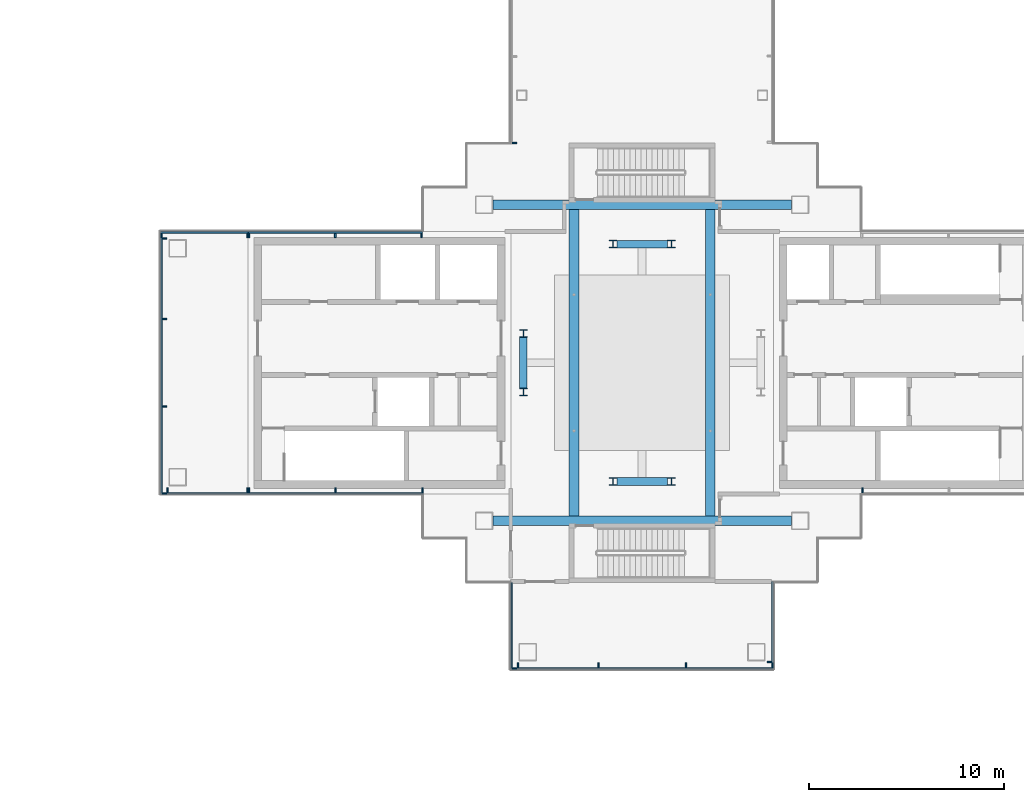
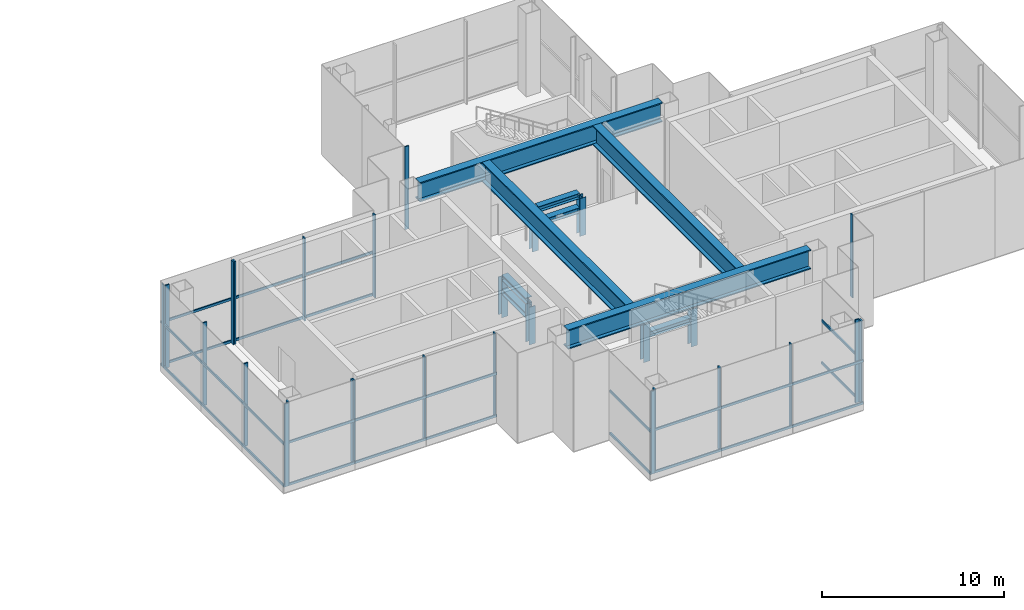
# One storey, part 5 of 17: 44 members, 10 beams, 10 elements without a shape of their own.
"""IFC4 building model written with IfcOpenShell, lengths in metres."""

from ifc_helpers import new_model, si_unit, direction, frame, origin, origin_2d, place, context, subcontext, project, spatial, rectangle, i_section, extrude, material, layer, layer_set, material_profile, profile_set, type_object, element, aggregate, save


model = new_model("IFC4")

# Units and contexts
model_context = context("Model", 3, precision=1e-05, world=origin(), true_north=direction((0.0, 1.0)))
body_context = subcontext(model_context, "Body", "Model", "MODEL_VIEW")
ifc_project = project(units=[si_unit("LENGTHUNIT", "METRE"), si_unit("AREAUNIT", "SQUARE_METRE"), si_unit("VOLUMEUNIT", "CUBIC_METRE"), si_unit("PLANEANGLEUNIT", "RADIAN"), si_unit("MASSUNIT", "GRAM", prefix="KILO")], contexts=[model_context])

# Site, building, storey
site_placement = place(None, origin())
site = spatial("IfcSite", under=ifc_project, at=site_placement, CompositionType="ELEMENT")
building_placement = place(site_placement, origin())
building = spatial("IfcBuilding", under=site, at=building_placement, Name="Shamsa Quay Exchange Towers", CompositionType="ELEMENT")
storey_placement = place(building_placement, frame((0.0, 0.0, 278.300048828125)))
storey = spatial("IfcBuildingStorey", under=building, at=storey_placement, Name="L67", CompositionType="ELEMENT", Elevation=278.300048828125)

# Curtain wall, member
ifc_material_1 = material(Name="Aluminium EN AW-6063 T6, black anodised", Category="aluminium")
ifc_layer = layer(ifc_material_1, 0.364013671875)
ifc_layer_set = layer_set([ifc_layer], Name="CW-5 LANTERN GLAZING")
curtain_wall_type = type_object("IfcCurtainWallType", Name="CW-5 LANTERN GLAZING", PredefinedType="NOTDEFINED", material=ifc_layer_set)
curtain_wall_1_placement = place(storey_placement, origin())
curtain_wall_1 = element("IfcCurtainWall", 1, at=curtain_wall_1_placement, inside=storey, type_object=curtain_wall_type, Name="CW5 T2-FLK-V-W L67", PredefinedType="NOTDEFINED")
ifc_material_profile_1 = material_profile(ifc_material_1, rectangle(XDim=0.239990234375, YDim=0.080078125, at=origin_2d()), Name="MU80x240")
ifc_profile_set_1 = profile_set([ifc_material_profile_1], Name="Aluminium EN AW-6063 T6, black anodised")
member_type_1 = type_object("IfcMemberType", Name="CW5 MULLION 80x240", PredefinedType="MULLION", material=ifc_profile_set_1)
member_1_placement = place(storey_placement, frame((45.0859375, -6.550048828125, 0.0), z_axis=(0.0, 0.0, 1.0), x_axis=(0.0, 1.0, 0.0)))
member_1 = element("IfcMember", 2, at=member_1_placement, type_object=member_type_1, Name="CW5 mullion", PredefinedType="MULLION", context=body_context, shape_type="SweptSolid", body=[
    extrude(rectangle(XDim=0.239990234375, YDim=0.080078125, at=origin_2d()), origin(), (0.0, 0.0, 1.0), 5.550048828125),
])
aggregate(curtain_wall_1, [member_1])

curtain_wall_2_placement = place(storey_placement, origin())
curtain_wall_2 = element("IfcCurtainWall", 3, at=curtain_wall_2_placement, inside=storey, type_object=curtain_wall_type, Name="CW5 T2-FLK-U+N L67", PredefinedType="NOTDEFINED")
member_2_placement = place(storey_placement, frame((27.199951171875, 11.2900390625, 0.0)))
member_2 = element("IfcMember", 4, at=member_2_placement, type_object=member_type_1, Name="CW5 mullion", PredefinedType="MULLION", context=body_context, shape_type="SweptSolid", body=[
    extrude(rectangle(XDim=0.239990234375, YDim=0.080078125, at=origin_2d()), origin(), (0.0, 0.0, 1.0), 5.550048828125),
])
aggregate(curtain_wall_2, [member_2])

# Curtain wall, members
curtain_wall_3_placement = place(storey_placement, origin())
curtain_wall_3 = element("IfcCurtainWall", 5, at=curtain_wall_3_placement, inside=storey, type_object=curtain_wall_type, Name="CW5 T2-FLK-V+E L67", PredefinedType="NOTDEFINED")
member_3_placement = place(storey_placement, frame((22.4140625, 6.550048828125, 0.0), z_axis=(0.0, 0.0, 1.0), x_axis=(0.0, -1.0, 0.0)))
member_3 = element("IfcMember", 6, at=member_3_placement, type_object=member_type_1, Name="CW5 mullion", PredefinedType="MULLION", context=body_context, shape_type="SweptSolid", body=[
    extrude(rectangle(XDim=0.239990234375, YDim=0.080078125, at=origin_2d()), origin(), (0.0, 0.0, 1.0), 5.550048828125),
])
member_4_placement = place(storey_placement, frame((17.97705078125, 6.550048828125, 0.0), z_axis=(0.0, 0.0, 1.0), x_axis=(0.0, -1.0, 0.0)))
member_4 = element("IfcMember", 7, at=member_4_placement, type_object=member_type_1, Name="CW5 mullion", PredefinedType="MULLION", context=body_context, shape_type="SweptSolid", body=[
    extrude(rectangle(XDim=0.239990234375, YDim=0.080078125, at=origin_2d()), origin(), (0.0, 0.0, 1.0), 5.550048828125),
])
member_5_placement = place(storey_placement, frame((13.5400390625, 6.550048828125, 0.0), z_axis=(0.0, 0.0, 1.0), x_axis=(0.0, -1.0, 0.0)))
member_5 = element("IfcMember", 8, at=member_5_placement, type_object=member_type_1, Name="CW5 mullion", PredefinedType="MULLION", context=body_context, shape_type="SweptSolid", body=[
    extrude(rectangle(XDim=0.239990234375, YDim=0.080078125, at=origin_2d()), origin(), (0.0, 0.0, 1.0), 5.550048828125),
])

curtain_wall_4_placement = place(storey_placement, origin())
curtain_wall_4 = element("IfcCurtainWall", 9, at=curtain_wall_4_placement, inside=storey, type_object=curtain_wall_type, Name="CW5 T2-FLK-V+E L67", PredefinedType="NOTDEFINED")
member_6_placement = place(storey_placement, frame((13.4599609375, 6.550048828125, 0.0), z_axis=(0.0, 0.0, 1.0), x_axis=(0.0, -1.0, 0.0)))
member_6 = element("IfcMember", 10, at=member_6_placement, type_object=member_type_1, Name="CW5 mullion", PredefinedType="MULLION", context=body_context, shape_type="SweptSolid", body=[
    extrude(rectangle(XDim=0.239990234375, YDim=0.080078125, at=origin_2d()), origin(), (0.0, 0.0, 1.0), 5.550048828125),
])
member_7_placement = place(storey_placement, frame((9.0400390625, 6.550048828125, 0.0), z_axis=(0.0, 0.0, 1.0), x_axis=(0.0, -1.0, 0.0)))
member_7 = element("IfcMember", 11, at=member_7_placement, type_object=member_type_1, Name="CW5 mullion", PredefinedType="MULLION", context=body_context, shape_type="SweptSolid", body=[
    extrude(rectangle(XDim=0.239990234375, YDim=0.080078125, at=origin_2d()), origin(), (0.0, 0.0, 1.0), 5.550048828125),
])

curtain_wall_5_placement = place(storey_placement, origin())
curtain_wall_5 = element("IfcCurtainWall", 12, at=curtain_wall_5_placement, inside=storey, type_object=curtain_wall_type, Name="CW5 T2-END-V+ L67", PredefinedType="NOTDEFINED")
member_8_placement = place(storey_placement, frame((9.199951171875, 6.387939453125, 0.0)))
member_8 = element("IfcMember", 13, at=member_8_placement, type_object=member_type_1, Name="CW5 mullion", PredefinedType="MULLION", context=body_context, shape_type="SweptSolid", body=[
    extrude(rectangle(XDim=0.239990234375, YDim=0.080078125, at=origin_2d()), origin(), (0.0, 0.0, 1.0), 5.550048828125),
])
member_9_placement = place(storey_placement, frame((9.199951171875, 2.25, 0.0)))
member_9 = element("IfcMember", 14, at=member_9_placement, type_object=member_type_1, Name="CW5 mullion", PredefinedType="MULLION", context=body_context, shape_type="SweptSolid", body=[
    extrude(rectangle(XDim=0.239990234375, YDim=0.080078125, at=origin_2d()), origin(), (0.0, 0.0, 1.0), 5.550048828125),
])
member_10_placement = place(storey_placement, frame((9.199951171875, -2.25, 0.0)))
member_10 = element("IfcMember", 15, at=member_10_placement, type_object=member_type_1, Name="CW5 mullion", PredefinedType="MULLION", context=body_context, shape_type="SweptSolid", body=[
    extrude(rectangle(XDim=0.239990234375, YDim=0.080078125, at=origin_2d()), origin(), (0.0, 0.0, 1.0), 5.550048828125),
])
member_11_placement = place(storey_placement, frame((9.199951171875, -6.7099609375, 0.0)))
member_11 = element("IfcMember", 16, at=member_11_placement, type_object=member_type_1, Name="CW5 mullion", PredefinedType="MULLION", context=body_context, shape_type="SweptSolid", body=[
    extrude(rectangle(XDim=0.239990234375, YDim=0.080078125, at=origin_2d()), origin(), (0.0, 0.0, 1.0), 5.550048828125),
])

curtain_wall_6_placement = place(storey_placement, origin())
curtain_wall_6 = element("IfcCurtainWall", 17, at=curtain_wall_6_placement, inside=storey, type_object=curtain_wall_type, Name="CW5 T2-FLK-V+W L67", PredefinedType="NOTDEFINED")
member_12_placement = place(storey_placement, frame((9.362060546875, -6.550048828125, 0.0), z_axis=(0.0, 0.0, 1.0), x_axis=(0.0, 1.0, 0.0)))
member_12 = element("IfcMember", 18, at=member_12_placement, type_object=member_type_1, Name="CW5 mullion", PredefinedType="MULLION", context=body_context, shape_type="SweptSolid", body=[
    extrude(rectangle(XDim=0.239990234375, YDim=0.080078125, at=origin_2d()), origin(), (0.0, 0.0, 1.0), 5.550048828125),
])
member_13_placement = place(storey_placement, frame((13.4599609375, -6.550048828125, 0.0), z_axis=(0.0, 0.0, 1.0), x_axis=(0.0, 1.0, 0.0)))
member_13 = element("IfcMember", 19, at=member_13_placement, type_object=member_type_1, Name="CW5 mullion", PredefinedType="MULLION", context=body_context, shape_type="SweptSolid", body=[
    extrude(rectangle(XDim=0.239990234375, YDim=0.080078125, at=origin_2d()), origin(), (0.0, 0.0, 1.0), 5.550048828125),
])

curtain_wall_7_placement = place(storey_placement, origin())
curtain_wall_7 = element("IfcCurtainWall", 20, at=curtain_wall_7_placement, inside=storey, type_object=curtain_wall_type, Name="CW5 T2-FLK-V+W L67", PredefinedType="NOTDEFINED")
member_14_placement = place(storey_placement, frame((13.5400390625, -6.550048828125, 0.0), z_axis=(0.0, 0.0, 1.0), x_axis=(0.0, 1.0, 0.0)))
member_14 = element("IfcMember", 21, at=member_14_placement, type_object=member_type_1, Name="CW5 mullion", PredefinedType="MULLION", context=body_context, shape_type="SweptSolid", body=[
    extrude(rectangle(XDim=0.239990234375, YDim=0.080078125, at=origin_2d()), origin(), (0.0, 0.0, 1.0), 5.550048828125),
])
member_15_placement = place(storey_placement, frame((18.0, -6.550048828125, 0.0), z_axis=(0.0, 0.0, 1.0), x_axis=(0.0, 1.0, 0.0)))
member_15 = element("IfcMember", 22, at=member_15_placement, type_object=member_type_1, Name="CW5 mullion", PredefinedType="MULLION", context=body_context, shape_type="SweptSolid", body=[
    extrude(rectangle(XDim=0.239990234375, YDim=0.080078125, at=origin_2d()), origin(), (0.0, 0.0, 1.0), 5.550048828125),
])
member_16_placement = place(storey_placement, frame((22.4599609375, -6.550048828125, 0.0), z_axis=(0.0, 0.0, 1.0), x_axis=(0.0, 1.0, 0.0)))
member_16 = element("IfcMember", 23, at=member_16_placement, type_object=member_type_1, Name="CW5 mullion", PredefinedType="MULLION", context=body_context, shape_type="SweptSolid", body=[
    extrude(rectangle(XDim=0.239990234375, YDim=0.080078125, at=origin_2d()), origin(), (0.0, 0.0, 1.0), 5.550048828125),
])

# Curtain wall, member
curtain_wall_8_placement = place(storey_placement, origin())
curtain_wall_8 = element("IfcCurtainWall", 24, at=curtain_wall_8_placement, inside=storey, type_object=curtain_wall_type, Name="CW5 T2-FLK-U-N L67", PredefinedType="NOTDEFINED")
member_17_placement = place(storey_placement, frame((27.199951171875, -15.7099609375, 0.0)))
member_17 = element("IfcMember", 25, at=member_17_placement, type_object=member_type_1, Name="CW5 mullion", PredefinedType="MULLION", context=body_context, shape_type="SweptSolid", body=[
    extrude(rectangle(XDim=0.239990234375, YDim=0.080078125, at=origin_2d()), origin(), (0.0, 0.0, 1.0), 5.550048828125),
])

# Curtain wall, members
curtain_wall_9_placement = place(storey_placement, origin())
curtain_wall_9 = element("IfcCurtainWall", 26, at=curtain_wall_9_placement, inside=storey, type_object=curtain_wall_type, Name="CW5 T2-END-U- L67", PredefinedType="NOTDEFINED")
member_18_placement = place(storey_placement, frame((27.362060546875, -15.550048828125, 0.0), z_axis=(0.0, 0.0, 1.0), x_axis=(0.0, 1.0, 0.0)))
member_18 = element("IfcMember", 27, at=member_18_placement, type_object=member_type_1, Name="CW5 mullion", PredefinedType="MULLION", context=body_context, shape_type="SweptSolid", body=[
    extrude(rectangle(XDim=0.239990234375, YDim=0.080078125, at=origin_2d()), origin(), (0.0, 0.0, 1.0), 5.550048828125),
])
member_19_placement = place(storey_placement, frame((31.5, -15.550048828125, 0.0), z_axis=(0.0, 0.0, 1.0), x_axis=(0.0, 1.0, 0.0)))
member_19 = element("IfcMember", 28, at=member_19_placement, type_object=member_type_1, Name="CW5 mullion", PredefinedType="MULLION", context=body_context, shape_type="SweptSolid", body=[
    extrude(rectangle(XDim=0.239990234375, YDim=0.080078125, at=origin_2d()), origin(), (0.0, 0.0, 1.0), 5.550048828125),
])
member_20_placement = place(storey_placement, frame((36.0, -15.550048828125, 0.0), z_axis=(0.0, 0.0, 1.0), x_axis=(0.0, 1.0, 0.0)))
member_20 = element("IfcMember", 29, at=member_20_placement, type_object=member_type_1, Name="CW5 mullion", PredefinedType="MULLION", context=body_context, shape_type="SweptSolid", body=[
    extrude(rectangle(XDim=0.239990234375, YDim=0.080078125, at=origin_2d()), origin(), (0.0, 0.0, 1.0), 5.550048828125),
])
member_21_placement = place(storey_placement, frame((40.4599609375, -15.550048828125, 0.0), z_axis=(0.0, 0.0, 1.0), x_axis=(0.0, 1.0, 0.0)))
member_21 = element("IfcMember", 30, at=member_21_placement, type_object=member_type_1, Name="CW5 mullion", PredefinedType="MULLION", context=body_context, shape_type="SweptSolid", body=[
    extrude(rectangle(XDim=0.239990234375, YDim=0.080078125, at=origin_2d()), origin(), (0.0, 0.0, 1.0), 5.550048828125),
])

# Curtain wall, member
curtain_wall_10_placement = place(storey_placement, origin())
curtain_wall_10 = element("IfcCurtainWall", 31, at=curtain_wall_10_placement, inside=storey, type_object=curtain_wall_type, Name="CW5 T2-FLK-U-S L67", PredefinedType="NOTDEFINED")
member_22_placement = place(storey_placement, frame((40.300048828125, -15.387939453125, 0.0), z_axis=(0.0, 0.0, 1.0), x_axis=(-1.0, 0.0, 0.0)))
member_22 = element("IfcMember", 32, at=member_22_placement, type_object=member_type_1, Name="CW5 mullion", PredefinedType="MULLION", context=body_context, shape_type="SweptSolid", body=[
    extrude(rectangle(XDim=0.239990234375, YDim=0.080078125, at=origin_2d()), origin(), (0.0, 0.0, 1.0), 5.550048828125),
])

# Member
ifc_material_profile_2 = material_profile(ifc_material_1, rectangle(XDim=0.080078125, YDim=0.159912109375, at=origin_2d()), Name="TR160x80")
ifc_profile_set_2 = profile_set([ifc_material_profile_2], Name="Aluminium EN AW-6063 T6, black anodised")
member_type_2 = type_object("IfcMemberType", Name="CW5 TRANSOM 160x80", PredefinedType="USERDEFINED", material=ifc_profile_set_2)
member_23_placement = place(storey_placement, frame((22.4541015625, 6.7099609375, 0.079833984375), z_axis=(-1.0, 0.0, 0.0), x_axis=(0.0, -1.0, 0.0)))
member_23 = element("IfcMember", 33, at=member_23_placement, type_object=member_type_2, Name="CW5 transom", ObjectType="TRANSOM", PredefinedType="USERDEFINED", context=body_context, shape_type="SweptSolid", body=[
    extrude(rectangle(XDim=0.080078125, YDim=0.159912109375, at=origin_2d()), origin(), (0.0, 0.0, 1.0), 8.9541015625),
])

member_24_placement = place(storey_placement, frame((22.4541015625, 6.7099609375, 2.905029296875), z_axis=(-1.0, 0.0, 0.0), x_axis=(0.0, -1.0, 0.0)))
member_24 = element("IfcMember", 34, at=member_24_placement, type_object=member_type_2, Name="CW5 transom", ObjectType="TRANSOM", PredefinedType="USERDEFINED", context=body_context, shape_type="SweptSolid", body=[
    extrude(rectangle(XDim=0.080078125, YDim=0.159912109375, at=origin_2d()), origin(), (0.0, 0.0, 1.0), 8.9541015625),
])

aggregate(curtain_wall_3, [member_23, member_24, member_3, member_4, member_5])

member_25_placement = place(storey_placement, frame((13.5, 6.7099609375, 0.079833984375), z_axis=(-1.0, 0.0, 0.0), x_axis=(0.0, -1.0, 0.0)))
member_25 = element("IfcMember", 35, at=member_25_placement, type_object=member_type_2, Name="CW5 transom", ObjectType="TRANSOM", PredefinedType="USERDEFINED", context=body_context, shape_type="SweptSolid", body=[
    extrude(rectangle(XDim=0.080078125, YDim=0.159912109375, at=origin_2d()), origin(), (0.0, 0.0, 1.0), 4.5),
])

member_26_placement = place(storey_placement, frame((13.5, 6.7099609375, 2.905029296875), z_axis=(-1.0, 0.0, 0.0), x_axis=(0.0, -1.0, 0.0)))
member_26 = element("IfcMember", 36, at=member_26_placement, type_object=member_type_2, Name="CW5 transom", ObjectType="TRANSOM", PredefinedType="USERDEFINED", context=body_context, shape_type="SweptSolid", body=[
    extrude(rectangle(XDim=0.080078125, YDim=0.159912109375, at=origin_2d()), origin(), (0.0, 0.0, 1.0), 4.5),
])

aggregate(curtain_wall_4, [member_25, member_26, member_6, member_7])

member_27_placement = place(storey_placement, frame((9.0400390625, 6.427978515625, 0.079833984375), z_axis=(0.0, -1.0, 0.0), x_axis=(1.0, 0.0, 0.0)))
member_27 = element("IfcMember", 37, at=member_27_placement, type_object=member_type_2, Name="CW5 transom", ObjectType="TRANSOM", PredefinedType="USERDEFINED", context=body_context, shape_type="SweptSolid", body=[
    extrude(rectangle(XDim=0.080078125, YDim=0.159912109375, at=origin_2d()), origin(), (0.0, 0.0, 1.0), 13.177978515625),
])

member_28_placement = place(storey_placement, frame((9.0400390625, 6.427978515625, 2.905029296875), z_axis=(0.0, -1.0, 0.0), x_axis=(1.0, 0.0, 0.0)))
member_28 = element("IfcMember", 38, at=member_28_placement, type_object=member_type_2, Name="CW5 transom", ObjectType="TRANSOM", PredefinedType="USERDEFINED", context=body_context, shape_type="SweptSolid", body=[
    extrude(rectangle(XDim=0.080078125, YDim=0.159912109375, at=origin_2d()), origin(), (0.0, 0.0, 1.0), 13.177978515625),
])

aggregate(curtain_wall_5, [member_27, member_28, member_8, member_9, member_10, member_11])

member_29_placement = place(storey_placement, frame((9.322021484375, -6.7099609375, 0.079833984375), z_axis=(1.0, 0.0, 0.0), x_axis=(0.0, 1.0, 0.0)))
member_29 = element("IfcMember", 39, at=member_29_placement, type_object=member_type_2, Name="CW5 transom", ObjectType="TRANSOM", PredefinedType="USERDEFINED", context=body_context, shape_type="SweptSolid", body=[
    extrude(rectangle(XDim=0.080078125, YDim=0.159912109375, at=origin_2d()), origin(), (0.0, 0.0, 1.0), 4.177978515625),
])

member_30_placement = place(storey_placement, frame((9.322021484375, -6.7099609375, 2.905029296875), z_axis=(1.0, 0.0, 0.0), x_axis=(0.0, 1.0, 0.0)))
member_30 = element("IfcMember", 40, at=member_30_placement, type_object=member_type_2, Name="CW5 transom", ObjectType="TRANSOM", PredefinedType="USERDEFINED", context=body_context, shape_type="SweptSolid", body=[
    extrude(rectangle(XDim=0.080078125, YDim=0.159912109375, at=origin_2d()), origin(), (0.0, 0.0, 1.0), 4.177978515625),
])

aggregate(curtain_wall_6, [member_29, member_30, member_12, member_13])

member_31_placement = place(storey_placement, frame((13.5, -6.7099609375, 0.079833984375), z_axis=(1.0, 0.0, 0.0), x_axis=(0.0, 1.0, 0.0)))
member_31 = element("IfcMember", 41, at=member_31_placement, type_object=member_type_2, Name="CW5 transom", ObjectType="TRANSOM", PredefinedType="USERDEFINED", context=body_context, shape_type="SweptSolid", body=[
    extrude(rectangle(XDim=0.080078125, YDim=0.159912109375, at=origin_2d()), origin(), (0.0, 0.0, 1.0), 9.0),
])

member_32_placement = place(storey_placement, frame((13.5, -6.7099609375, 2.905029296875), z_axis=(1.0, 0.0, 0.0), x_axis=(0.0, 1.0, 0.0)))
member_32 = element("IfcMember", 42, at=member_32_placement, type_object=member_type_2, Name="CW5 transom", ObjectType="TRANSOM", PredefinedType="USERDEFINED", context=body_context, shape_type="SweptSolid", body=[
    extrude(rectangle(XDim=0.080078125, YDim=0.159912109375, at=origin_2d()), origin(), (0.0, 0.0, 1.0), 9.0),
])

aggregate(curtain_wall_7, [member_31, member_32, member_14, member_15, member_16])

member_33_placement = place(storey_placement, frame((27.0400390625, -11.2958984375, 0.079833984375), z_axis=(0.0, -1.0, 0.0), x_axis=(1.0, 0.0, 0.0)))
member_33 = element("IfcMember", 43, at=member_33_placement, type_object=member_type_2, Name="CW5 transom", ObjectType="TRANSOM", PredefinedType="USERDEFINED", context=body_context, shape_type="SweptSolid", body=[
    extrude(rectangle(XDim=0.080078125, YDim=0.159912109375, at=origin_2d()), origin(), (0.0, 0.0, 1.0), 4.4541015625),
])

member_34_placement = place(storey_placement, frame((27.0400390625, -11.2958984375, 2.905029296875), z_axis=(0.0, -1.0, 0.0), x_axis=(1.0, 0.0, 0.0)))
member_34 = element("IfcMember", 44, at=member_34_placement, type_object=member_type_2, Name="CW5 transom", ObjectType="TRANSOM", PredefinedType="USERDEFINED", context=body_context, shape_type="SweptSolid", body=[
    extrude(rectangle(XDim=0.080078125, YDim=0.159912109375, at=origin_2d()), origin(), (0.0, 0.0, 1.0), 4.4541015625),
])

aggregate(curtain_wall_8, [member_33, member_34, member_17])

member_35_placement = place(storey_placement, frame((27.322021484375, -15.7099609375, 0.079833984375), z_axis=(1.0, 0.0, 0.0), x_axis=(0.0, 1.0, 0.0)))
member_35 = element("IfcMember", 45, at=member_35_placement, type_object=member_type_2, Name="CW5 transom", ObjectType="TRANSOM", PredefinedType="USERDEFINED", context=body_context, shape_type="SweptSolid", body=[
    extrude(rectangle(XDim=0.080078125, YDim=0.159912109375, at=origin_2d()), origin(), (0.0, 0.0, 1.0), 13.177978515625),
])

member_36_placement = place(storey_placement, frame((27.322021484375, -15.7099609375, 2.905029296875), z_axis=(1.0, 0.0, 0.0), x_axis=(0.0, 1.0, 0.0)))
member_36 = element("IfcMember", 46, at=member_36_placement, type_object=member_type_2, Name="CW5 transom", ObjectType="TRANSOM", PredefinedType="USERDEFINED", context=body_context, shape_type="SweptSolid", body=[
    extrude(rectangle(XDim=0.080078125, YDim=0.159912109375, at=origin_2d()), origin(), (0.0, 0.0, 1.0), 13.177978515625),
])

aggregate(curtain_wall_9, [member_35, member_36, member_18, member_19, member_20, member_21])

member_37_placement = place(storey_placement, frame((40.4599609375, -15.427978515625, 0.079833984375), z_axis=(0.0, 1.0, 0.0), x_axis=(-1.0, 0.0, 0.0)))
member_37 = element("IfcMember", 47, at=member_37_placement, type_object=member_type_2, Name="CW5 transom", ObjectType="TRANSOM", PredefinedType="USERDEFINED", context=body_context, shape_type="SweptSolid", body=[
    extrude(rectangle(XDim=0.080078125, YDim=0.159912109375, at=origin_2d()), origin(), (0.0, 0.0, 1.0), 4.177978515625),
])

member_38_placement = place(storey_placement, frame((40.4599609375, -15.427978515625, 2.905029296875), z_axis=(0.0, 1.0, 0.0), x_axis=(-1.0, 0.0, 0.0)))
member_38 = element("IfcMember", 48, at=member_38_placement, type_object=member_type_2, Name="CW5 transom", ObjectType="TRANSOM", PredefinedType="USERDEFINED", context=body_context, shape_type="SweptSolid", body=[
    extrude(rectangle(XDim=0.080078125, YDim=0.159912109375, at=origin_2d()), origin(), (0.0, 0.0, 1.0), 4.177978515625),
])

aggregate(curtain_wall_10, [member_37, member_38, member_22])

# Beams
ifc_material_2 = material(Name="Steel S355", Category="steel")
ifc_material_profile_3 = material_profile(ifc_material_2, i_section(OverallWidth=0.393798828125, OverallDepth=0.37548828125, WebThickness=0.017333984375, FlangeThickness=0.027587890625, at=origin_2d()), Name="W14x145")
ifc_profile_set_3 = profile_set([ifc_material_profile_3], Name="Steel S355")
beam_type_1 = type_object("IfcBeamType", Name="Damper frame beam W14x145", PredefinedType="BEAM", material=ifc_profile_set_3)
for number, where, z_axis, x_axis, name in (
    (49, (27.64990234375, -1.303466796875, 1.75), (0.0, 1.0, 0.0), (-1.0, 0.0, 0.0), "Damper support frame beam T2 W"),
    (50, (27.64990234375, -1.303466796875, 2.712158203125), (0.0, 1.0, 0.0), (-1.0, 0.0, 0.0), "Damper support frame beam T2 W"),
):
    element("IfcBeam", number, at=place(storey_placement, frame(where, z_axis=z_axis, x_axis=x_axis)), inside=storey, type_object=beam_type_1, Name=name, PredefinedType="BEAM", context=body_context, shape_type="SweptSolid", body=[
        extrude(i_section(OverallWidth=0.393798828125, OverallDepth=0.37548828125, WebThickness=0.017333984375, FlangeThickness=0.027587890625, at=origin_2d()), origin(), (0.0, 0.0, 1.0), 2.60693359375),
    ])
for number, where, z_axis, x_axis, name in (
    (51, (32.449462890625, 6.10009765625, 1.75), (1.0, 0.0, 0.0), (0.0, 1.0, 0.0), "Damper support frame beam T2 N"),
    (52, (32.449462890625, 6.10009765625, 2.712158203125), (1.0, 0.0, 0.0), (0.0, 1.0, 0.0), "Damper support frame beam T2 N"),
    (53, (32.449462890625, -6.10009765625, 1.75), (1.0, 0.0, 0.0), (0.0, 1.0, 0.0), "Damper support frame beam T2 S"),
    (54, (32.449462890625, -6.10009765625, 2.712158203125), (1.0, 0.0, 0.0), (0.0, 1.0, 0.0), "Damper support frame beam T2 S"),
):
    element("IfcBeam", number, at=place(storey_placement, frame(where, z_axis=z_axis, x_axis=x_axis)), inside=storey, type_object=beam_type_1, Name=name, PredefinedType="BEAM", context=body_context, shape_type="SweptSolid", body=[
        extrude(i_section(OverallWidth=0.393798828125, OverallDepth=0.37548828125, WebThickness=0.017333984375, FlangeThickness=0.027587890625, at=origin_2d()), origin(), (0.0, 0.0, 1.0), 2.60107421875),
    ])

# Members
ifc_material_profile_4 = material_profile(ifc_material_2, i_section(OverallWidth=0.39892578125, OverallDepth=0.393310546875, WebThickness=0.022705078125, FlangeThickness=0.03662109375, at=origin_2d()), Name="W14x193")
ifc_profile_set_4 = profile_set([ifc_material_profile_4], Name="Steel S355")
member_type_3 = type_object("IfcMemberType", Name="Damper frame post W14x193", PredefinedType="POST", material=ifc_profile_set_4)
for number, where, name in (
    (55, (27.64990234375, -1.5, 0.0), "Damper support frame post T2 W"),
    (56, (27.64990234375, 1.5, 0.0), "Damper support frame post T2 W"),
    (57, (32.25, 6.10009765625, 0.0), "Damper support frame post T2 N"),
    (58, (35.25, 6.10009765625, 0.0), "Damper support frame post T2 N"),
    (59, (32.25, -6.10009765625, 0.0), "Damper support frame post T2 S"),
    (60, (35.25, -6.10009765625, 0.0), "Damper support frame post T2 S"),
):
    element("IfcMember", number, at=place(storey_placement, frame(where)), inside=storey, type_object=member_type_3, Name=name, PredefinedType="POST", context=body_context, shape_type="SweptSolid", body=[
        extrude(i_section(OverallWidth=0.39892578125, OverallDepth=0.393310546875, WebThickness=0.022705078125, FlangeThickness=0.03662109375, at=origin_2d()), origin(), (0.0, 0.0, 1.0), 2.524658203125),
    ])

# Beams
ifc_material_profile_5 = material_profile(ifc_material_2, i_section(OverallWidth=0.5, OverallDepth=1.300048828125, WebThickness=0.0400390625, FlangeThickness=0.070068359375, at=origin_2d()), Name="PG1300x500x40x70")
ifc_profile_set_5 = profile_set([ifc_material_profile_5], Name="Steel S355")
beam_type_2 = type_object("IfcBeamType", Name="Damper support girder PG1300x500x40x70", PredefinedType="BEAM", material=ifc_profile_set_5)
for number, where, z_axis, x_axis, name in (
    (61, (26.074951171875, -8.125, 4.89990234375), (1.0, 0.0, 0.0), (0.0, 1.0, 0.0), "Damper support girder T2"),
    (62, (26.074951171875, 8.125, 4.89990234375), (1.0, 0.0, 0.0), (0.0, 1.0, 0.0), "Damper support girder T2"),
):
    element("IfcBeam", number, at=place(storey_placement, frame(where, z_axis=z_axis, x_axis=x_axis)), inside=storey, type_object=beam_type_2, Name=name, PredefinedType="BEAM", context=body_context, shape_type="SweptSolid", body=[
        extrude(i_section(OverallWidth=0.5, OverallDepth=1.300048828125, WebThickness=0.0400390625, FlangeThickness=0.070068359375, at=origin_2d()), origin(), (0.0, 0.0, 1.0), 15.35009765625),
    ])
for number, where, z_axis, x_axis, name in (
    (63, (30.25, -7.875, 4.89990234375), (0.0, 1.0, 0.0), (-1.0, 0.0, 0.0), "Damper cross girder T2"),
    (64, (37.25, -7.875, 4.89990234375), (0.0, 1.0, 0.0), (-1.0, 0.0, 0.0), "Damper cross girder T2"),
):
    element("IfcBeam", number, at=place(storey_placement, frame(where, z_axis=z_axis, x_axis=x_axis)), inside=storey, type_object=beam_type_2, Name=name, PredefinedType="BEAM", context=body_context, shape_type="SweptSolid", body=[
        extrude(i_section(OverallWidth=0.5, OverallDepth=1.300048828125, WebThickness=0.0400390625, FlangeThickness=0.070068359375, at=origin_2d()), origin(), (0.0, 0.0, 1.0), 15.75),
    ])

save(model, "model.ifc")
